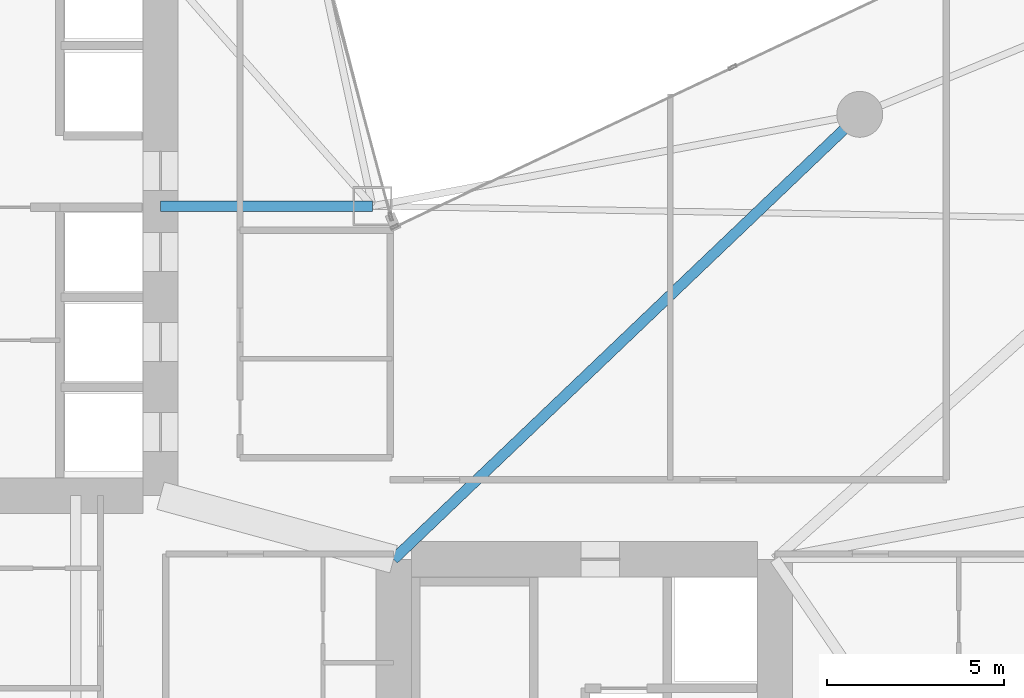
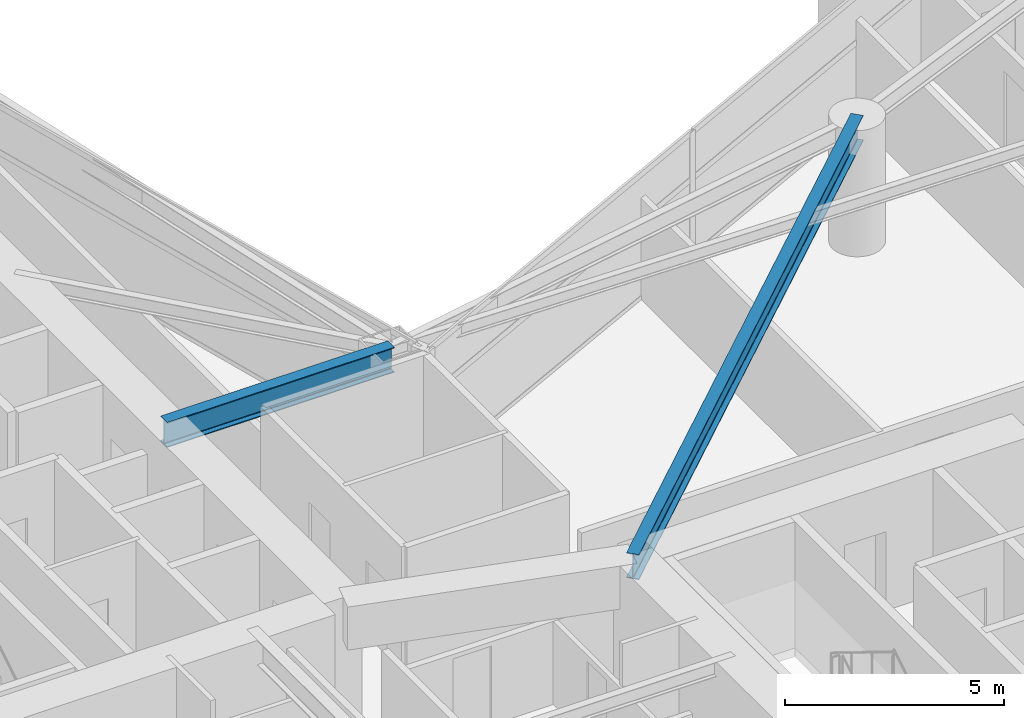
# One storey, part 8 of 28: 2 beams.
"""IFC4 building model written with IfcOpenShell, lengths in metres."""

from ifc_helpers import new_model, si_unit, direction, frame, origin, origin_2d, place, context, subcontext, project, spatial, i_section, extrude, material, material_profile, profile_set, type_object, element, save


model = new_model("IFC4")

# Units and contexts
model_context = context("Model", 3, precision=1e-05, world=origin(), true_north=direction((0.0, 1.0)))
body_context = subcontext(model_context, "Body", "Model", "MODEL_VIEW")
ifc_project = project(units=[si_unit("LENGTHUNIT", "METRE"), si_unit("AREAUNIT", "SQUARE_METRE"), si_unit("VOLUMEUNIT", "CUBIC_METRE"), si_unit("PLANEANGLEUNIT", "RADIAN"), si_unit("MASSUNIT", "GRAM", prefix="KILO")], contexts=[model_context])

# Site, building, storey
site_placement = place(None, origin())
site = spatial("IfcSite", under=ifc_project, at=site_placement, CompositionType="ELEMENT")
building_placement = place(site_placement, origin())
building = spatial("IfcBuilding", under=site, at=building_placement, Name="Calvorn Quay Hotel", CompositionType="ELEMENT")
storey_placement = place(building_placement, frame((0.0, 0.0, 42.199951171875)))
storey = spatial("IfcBuildingStorey", under=building, at=storey_placement, Name="L09", CompositionType="ELEMENT", Elevation=42.199951171875)

# Beams
ifc_material = material(Name="Steel Q390GJC", Category="steel")
ifc_material_profile = material_profile(ifc_material, i_section(OverallWidth=0.300048828125, OverallDepth=0.699951171875, WebThickness=0.012939453125, FlangeThickness=0.02392578125, FilletRadius=0.02392578125, at=origin_2d()), Name="HN700x300x13x24")
ifc_profile_set = profile_set([ifc_material_profile], Name="Steel Q390GJC")
beam_type = type_object("IfcBeamType", Name="BM-GIRD-MAIN", PredefinedType="BEAM", material=ifc_profile_set)
beam_1_placement = place(storey_placement, frame((21.0, 25.0, 3.170166015625), z_axis=(-1.0, 0.0, 0.0), x_axis=(0.0, -1.0, 0.0)))
element("IfcBeam", 1, at=beam_1_placement, inside=storey, type_object=beam_type, Name="Beam BG-L09-W7", PredefinedType="BEAM", context=body_context, shape_type="SweptSolid", body=[
    extrude(i_section(OverallWidth=0.300048828125, OverallDepth=0.699951171875, WebThickness=0.012939453125, FlangeThickness=0.02392578125, FilletRadius=0.02392578125, at=origin_2d()), origin(), (0.0, 0.0, 1.0), 6.0),
])
beam_2_placement = place(storey_placement, frame((21.60009765625, 15.0, 3.170166015625), z_axis=(0.723351595578, 0.690479883252, 0.0), x_axis=(-0.690479883252, 0.723351595578, 0.0)))
element("IfcBeam", 2, at=beam_2_placement, inside=storey, type_object=beam_type, Name="Beam BG-L09-E4", PredefinedType="BEAM", context=body_context, shape_type="SweptSolid", body=[
    extrude(i_section(OverallWidth=0.300048828125, OverallDepth=0.699951171875, WebThickness=0.012939453125, FlangeThickness=0.02392578125, FilletRadius=0.02392578125, at=origin_2d()), origin(), (0.0, 0.0, 1.0), 18.248291015625),
])

save(model, "model.ifc")
